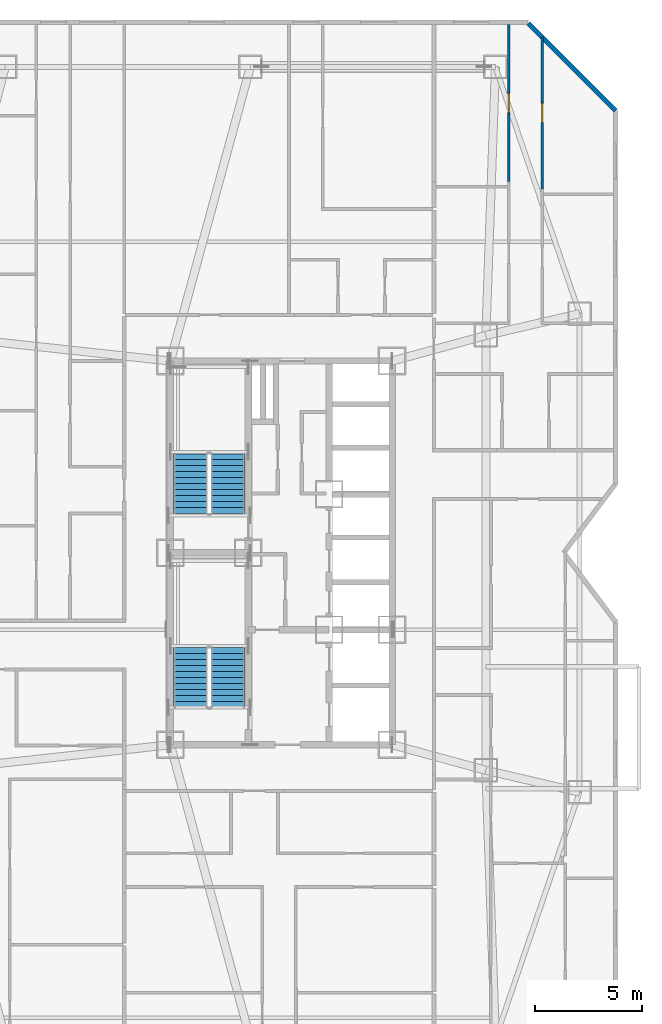
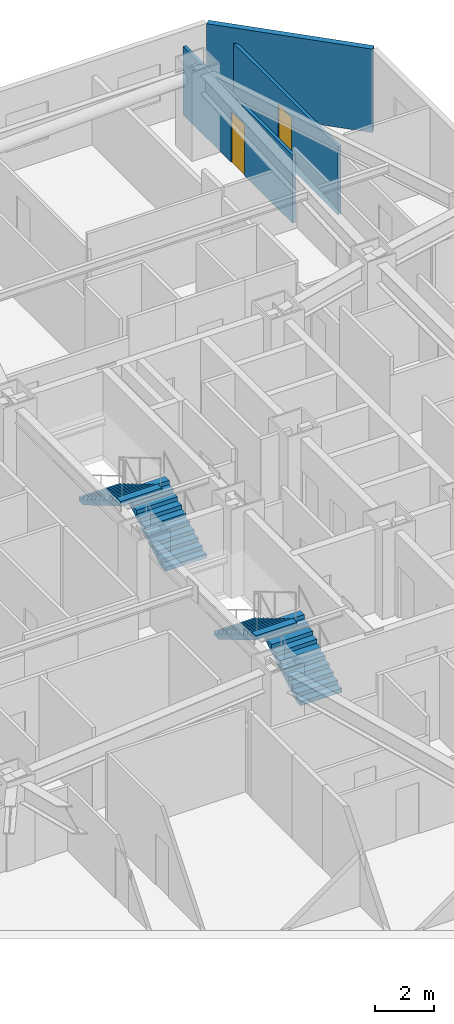
# One storey, part 13 of 14: 4 stair flights, 3 walls, 2 doors, 2 openings, 2 elements without a shape of their own.
"""IFC4 building model written with IfcOpenShell, lengths in metres."""

from ifc_helpers import new_model, si_unit, direction, frame, frame_2d, origin, place, context, subcontext, project, spatial, polyline, rectangle, outline, extrude, material, layer, layer_set, type_object, element, fill, aggregate, save


model = new_model("IFC4")

# Units and contexts
model_context = context("Model", 3, precision=1e-05, world=origin(), true_north=direction((0.0, 1.0)))
body_context = subcontext(model_context, "Body", "Model", "MODEL_VIEW")
ifc_project = project(units=[si_unit("LENGTHUNIT", "METRE"), si_unit("AREAUNIT", "SQUARE_METRE"), si_unit("VOLUMEUNIT", "CUBIC_METRE"), si_unit("PLANEANGLEUNIT", "RADIAN"), si_unit("MASSUNIT", "GRAM", prefix="KILO")], contexts=[model_context])

# Site, building, storey
site_placement = place(None, origin())
site = spatial("IfcSite", under=ifc_project, at=site_placement, CompositionType="ELEMENT")
building_placement = place(site_placement, origin())
building = spatial("IfcBuilding", under=site, at=building_placement, Name="Khamvora Tower", CompositionType="ELEMENT")
storey_placement = place(building_placement, frame((0.0, 0.0, 51.550048828125)))
storey = spatial("IfcBuildingStorey", under=building, at=storey_placement, Name="L12", CompositionType="ELEMENT", Elevation=51.550048828125)

# Wall
ifc_material_1 = material(Name="Precast concrete C40/50", Category="concrete")
ifc_layer_1 = layer(ifc_material_1, 0.219970703125)
ifc_layer_set_1 = layer_set([ifc_layer_1], Name="Precast concrete C40/50")
wall_type_1 = type_object("IfcWallType", Name="WAL-EXT-220", PredefinedType="STANDARD", material=ifc_layer_set_1)
wall_1_placement = place(storey_placement, frame((45.802001953125, 52.842041015625, 0.0), z_axis=(0.0, 0.0, 1.0), x_axis=(0.707085666273, -0.70712789547, 0.0)))
element("IfcWall", 1, at=wall_1_placement, inside=storey, type_object=wall_type_1, Name="L12 exterior facade wall 08.1", PredefinedType="STANDARD", context=body_context, shape_type="SweptSolid", body=[
    extrude(rectangle(XDim=5.78125, YDim=0.219970703125, at=frame_2d((2.890625, 0.0))), origin(), (0.0, 0.0, 1.0), 3.429931640625),
])

# Wall, opening, door
ifc_material_2 = material(Name="Gypsum Plasterboard Partition", Category="gypsum")
ifc_layer_2 = layer(ifc_material_2, 0.1201171875)
ifc_layer_set_2 = layer_set([ifc_layer_2], Name="Gypsum Plasterboard Partition")
wall_type_2 = type_object("IfcWallType", Name="WAL-PART-120", PredefinedType="PARTITIONING", material=ifc_layer_set_2)
wall_2_placement = place(storey_placement, frame((44.875, 45.41796875, 0.0), z_axis=(0.0, 0.0, 1.0), x_axis=(0.0, 1.0, 0.0)))
wall_2 = element("IfcWall", 2, at=wall_2_placement, inside=storey, type_object=wall_type_2, Name="L12 interior partition wall 174", PredefinedType="PARTITIONING", context=body_context, shape_type="SweptSolid", body=[
    extrude(rectangle(XDim=7.3701171875, YDim=0.1201171875, at=frame_2d((3.68505859375, 0.0))), origin(), (0.0, 0.0, 1.0), 2.802978515625),
])
opening_1_placement = place(wall_2_placement, frame((3.235107421875, 0.0, 0.0)))
opening_1 = element("IfcOpeningElement", 3, at=opening_1_placement, cuts=wall_2, Name="Opening D-RM1", PredefinedType="OPENING", context=body_context, shape_type="SweptSolid", body=[
    extrude(rectangle(XDim=0.89990234375, YDim=2.10009765625, at=frame_2d((0.449951171875, 1.050048828125))), frame((0.0, 0.070068359375, 0.0), z_axis=(0.0, -1.0, 0.0), x_axis=(1.0, 0.0, 0.0)), (0.0, 0.0, 1.0), 0.14013671875),
])
ifc_material_3 = material(Name="Powder-Coated Steel and Hardwood Leaf", Category="steel")
door_type = type_object("IfcDoorType", Name="DOR-ROOM-900", OperationType="NOTDEFINED", PredefinedType="DOOR", material=ifc_material_3)
door_1_placement = place(opening_1_placement, origin())
door_1 = element("IfcDoor", 4, at=door_1_placement, inside=storey, type_object=door_type, Name="L12 interior door 12ECH-12ECR2", OperationType="SINGLE_SWING_LEFT", OverallHeight=2.10009765625, OverallWidth=0.89990234375, PredefinedType="DOOR", context=body_context, shape_type="SweptSolid", body=[
    extrude(rectangle(XDim=0.89990234375, YDim=2.10009765625, at=frame_2d((0.449951171875, 1.050048828125))), frame((0.0, 0.02490234375, 0.0), z_axis=(0.0, -1.0, 0.0), x_axis=(1.0, 0.0, 0.0)), (0.0, 0.0, 1.0), 0.050048828125),
])
fill(opening_1, door_1)

wall_3_placement = place(storey_placement, frame((46.445068359375, 52.2080078125, 0.0), z_axis=(0.0, 0.0, 1.0), x_axis=(0.0, -1.0, 0.0)))
wall_3 = element("IfcWall", 5, at=wall_3_placement, inside=storey, type_object=wall_type_2, Name="L12 interior partition wall 177", PredefinedType="PARTITIONING", context=body_context, shape_type="SweptSolid", body=[
    extrude(rectangle(XDim=7.130126953125, YDim=0.1201171875, at=frame_2d((3.56494140625, 0.0))), origin(), (0.0, 0.0, 1.0), 2.802978515625),
])
opening_2_placement = place(wall_3_placement, frame((3.114990234375, 0.0, 0.0)))
opening_2 = element("IfcOpeningElement", 6, at=opening_2_placement, cuts=wall_3, Name="Opening D-RM1", PredefinedType="OPENING", context=body_context, shape_type="SweptSolid", body=[
    extrude(rectangle(XDim=0.89990234375, YDim=2.10009765625, at=frame_2d((0.449951171875, 1.050048828125))), frame((0.0, 0.070068359375, 0.0), z_axis=(0.0, -1.0, 0.0), x_axis=(1.0, 0.0, 0.0)), (0.0, 0.0, 1.0), 0.14013671875),
])
door_2_placement = place(opening_2_placement, origin())
door_2 = element("IfcDoor", 7, at=door_2_placement, inside=storey, type_object=door_type, Name="L12 interior door 12ECH-12ECR4", OperationType="SINGLE_SWING_LEFT", OverallHeight=2.10009765625, OverallWidth=0.89990234375, PredefinedType="DOOR", context=body_context, shape_type="SweptSolid", body=[
    extrude(rectangle(XDim=0.89990234375, YDim=2.10009765625, at=frame_2d((0.449951171875, 1.050048828125))), frame((0.0, 0.02490234375, 0.0), z_axis=(0.0, -1.0, 0.0), x_axis=(1.0, 0.0, 0.0)), (0.0, 0.0, 1.0), 0.050048828125),
])
fill(opening_2, door_2)

# Stair, stair flights
ifc_material_4 = material(Name="Concrete C40/50", Category="concrete")
stair_type_1 = type_object("IfcStairType", Name="STR-ST-01", PredefinedType="HALF_TURN_STAIR", material=ifc_material_4)
stair_1_placement = place(storey_placement, origin())
stair_1 = element("IfcStair", 8, at=stair_1_placement, inside=storey, type_object=stair_type_1, Name="L12 South Tower Exit Stair ST-01", PredefinedType="HALF_TURN_STAIR")
stair_flight_type_1 = type_object("IfcStairFlightType", Name="STF-ST-01", PredefinedType="STRAIGHT", material=ifc_material_4)
stair_flight_1_placement = place(storey_placement, frame((31.699951171875, 20.75, 0.0), z_axis=(0.0, 0.0, 1.0), x_axis=(0.0, 1.0, 0.0)))
stair_flight_1 = element("IfcStairFlight", 9, at=stair_flight_1_placement, type_object=stair_flight_type_1, Name="ST-01 flight 1", NumberOfRisers=11, NumberOfTreads=10, PredefinedType="STRAIGHT", RiserHeight=0.165909091, TreadLength=0.28, context=body_context, shape_type="SweptSolid", body=[
    extrude(outline(polyline([(0.0, 0.0), (0.0, 0.166015625), (0.280029296875, 0.166015625), (0.280029296875, 0.331787109375), (0.56005859375, 0.331787109375), (0.56005859375, 0.497802734375), (0.840087890625, 0.497802734375), (0.840087890625, 0.66357421875), (1.1201171875, 0.66357421875), (1.1201171875, 0.82958984375), (1.39990234375, 0.82958984375), (1.39990234375, 0.995361328125), (1.679931640625, 0.995361328125), (1.679931640625, 1.161376953125), (1.9599609375, 1.161376953125), (1.9599609375, 1.327392578125), (2.239990234375, 1.327392578125), (2.239990234375, 1.4931640625), (2.52001953125, 1.4931640625), (2.52001953125, 1.6591796875), (2.800048828125, 1.6591796875), (2.800048828125, 1.824951171875), (2.800048828125, 1.48486328125), (0.2939453125, 0.0), (0.0, 0.0)])), frame((0.0, 0.800048828125, 0.0), z_axis=(0.0, -1.0, 0.0), x_axis=(1.0, 0.0, 0.0)), (0.0, 0.0, 1.0), 1.60009765625),
])
stair_flight_2_placement = place(storey_placement, frame((29.949951171875, 23.550048828125, 1.824951171875), z_axis=(0.0, 0.0, 1.0), x_axis=(0.0, -1.0, 0.0)))
stair_flight_2 = element("IfcStairFlight", 10, at=stair_flight_2_placement, type_object=stair_flight_type_1, Name="ST-01 flight 2", NumberOfRisers=11, NumberOfTreads=10, PredefinedType="STRAIGHT", RiserHeight=0.165909091, TreadLength=0.28, context=body_context, shape_type="SweptSolid", body=[
    extrude(outline(polyline([(0.0, 0.0), (0.0, 0.166015625), (0.280029296875, 0.166015625), (0.280029296875, 0.331787109375), (0.56005859375, 0.331787109375), (0.56005859375, 0.497802734375), (0.840087890625, 0.497802734375), (0.840087890625, 0.66357421875), (1.1201171875, 0.66357421875), (1.1201171875, 0.82958984375), (1.39990234375, 0.82958984375), (1.39990234375, 0.995361328125), (1.679931640625, 0.995361328125), (1.679931640625, 1.161376953125), (1.9599609375, 1.161376953125), (1.9599609375, 1.327392578125), (2.239990234375, 1.327392578125), (2.239990234375, 1.4931640625), (2.52001953125, 1.4931640625), (2.52001953125, 1.6591796875), (2.800048828125, 1.6591796875), (2.800048828125, 1.824951171875), (2.800048828125, 1.48486328125), (0.2939453125, 0.0), (0.0, 0.0)])), frame((0.0, 0.800048828125, 0.0), z_axis=(0.0, -1.0, 0.0), x_axis=(1.0, 0.0, 0.0)), (0.0, 0.0, 1.0), 1.60009765625),
])
aggregate(stair_1, [stair_flight_1, stair_flight_2])

stair_type_2 = type_object("IfcStairType", Name="STR-ST-02", PredefinedType="HALF_TURN_STAIR", material=ifc_material_4)
stair_2_placement = place(storey_placement, origin())
stair_2 = element("IfcStair", 11, at=stair_2_placement, inside=storey, type_object=stair_type_2, Name="L12 North Tower Exit Stair ST-02", PredefinedType="HALF_TURN_STAIR")
stair_flight_type_2 = type_object("IfcStairFlightType", Name="STF-ST-02", PredefinedType="STRAIGHT", material=ifc_material_4)
stair_flight_3_placement = place(storey_placement, frame((31.699951171875, 29.85009765625, 0.0), z_axis=(0.0, 0.0, 1.0), x_axis=(0.0, 1.0, 0.0)))
stair_flight_3 = element("IfcStairFlight", 12, at=stair_flight_3_placement, type_object=stair_flight_type_2, Name="ST-02 flight 1", NumberOfRisers=11, NumberOfTreads=10, PredefinedType="STRAIGHT", RiserHeight=0.165909091, TreadLength=0.28, context=body_context, shape_type="SweptSolid", body=[
    extrude(outline(polyline([(0.0, 0.0), (0.0, 0.166015625), (0.280029296875, 0.166015625), (0.280029296875, 0.331787109375), (0.56005859375, 0.331787109375), (0.56005859375, 0.497802734375), (0.840087890625, 0.497802734375), (0.840087890625, 0.66357421875), (1.1201171875, 0.66357421875), (1.1201171875, 0.82958984375), (1.39990234375, 0.82958984375), (1.39990234375, 0.995361328125), (1.679931640625, 0.995361328125), (1.679931640625, 1.161376953125), (1.9599609375, 1.161376953125), (1.9599609375, 1.327392578125), (2.239990234375, 1.327392578125), (2.239990234375, 1.4931640625), (2.52001953125, 1.4931640625), (2.52001953125, 1.6591796875), (2.800048828125, 1.6591796875), (2.800048828125, 1.824951171875), (2.800048828125, 1.48486328125), (0.2939453125, 0.0), (0.0, 0.0)])), frame((0.0, 0.800048828125, 0.0), z_axis=(0.0, -1.0, 0.0), x_axis=(1.0, 0.0, 0.0)), (0.0, 0.0, 1.0), 1.60009765625),
])
stair_flight_4_placement = place(storey_placement, frame((29.949951171875, 32.64990234375, 1.824951171875), z_axis=(0.0, 0.0, 1.0), x_axis=(0.0, -1.0, 0.0)))
stair_flight_4 = element("IfcStairFlight", 13, at=stair_flight_4_placement, type_object=stair_flight_type_2, Name="ST-02 flight 2", NumberOfRisers=11, NumberOfTreads=10, PredefinedType="STRAIGHT", RiserHeight=0.165909091, TreadLength=0.28, context=body_context, shape_type="SweptSolid", body=[
    extrude(outline(polyline([(0.0, 0.0), (0.0, 0.166015625), (0.280029296875, 0.166015625), (0.280029296875, 0.331787109375), (0.56005859375, 0.331787109375), (0.56005859375, 0.497802734375), (0.840087890625, 0.497802734375), (0.840087890625, 0.66357421875), (1.1201171875, 0.66357421875), (1.1201171875, 0.82958984375), (1.39990234375, 0.82958984375), (1.39990234375, 0.995361328125), (1.679931640625, 0.995361328125), (1.679931640625, 1.161376953125), (1.9599609375, 1.161376953125), (1.9599609375, 1.327392578125), (2.239990234375, 1.327392578125), (2.239990234375, 1.4931640625), (2.52001953125, 1.4931640625), (2.52001953125, 1.6591796875), (2.800048828125, 1.6591796875), (2.800048828125, 1.824951171875), (2.800048828125, 1.48486328125), (0.2939453125, 0.0), (0.0, 0.0)])), frame((0.0, 0.800048828125, 0.0), z_axis=(0.0, -1.0, 0.0), x_axis=(1.0, 0.0, 0.0)), (0.0, 0.0, 1.0), 1.60009765625),
])
aggregate(stair_2, [stair_flight_3, stair_flight_4])

save(model, "model.ifc")
